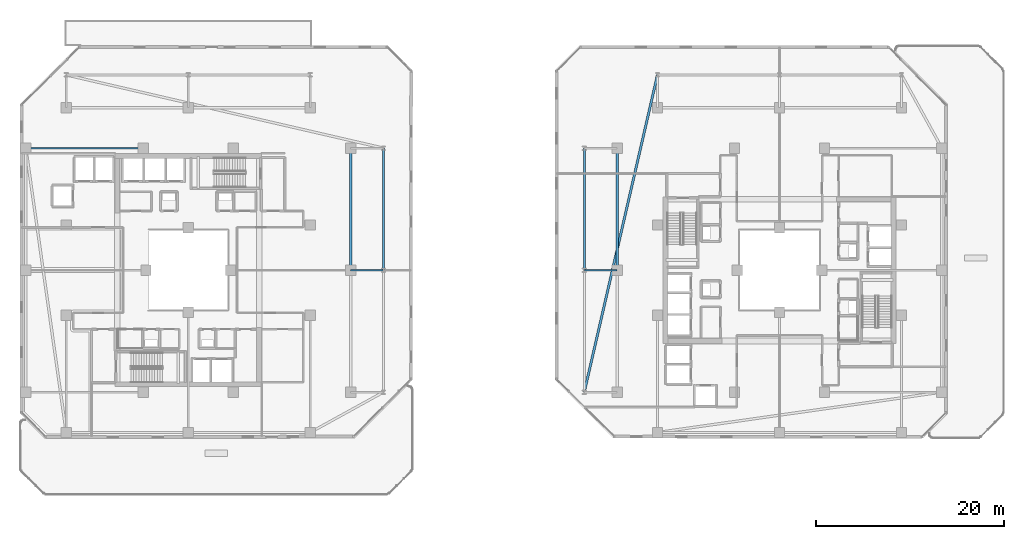
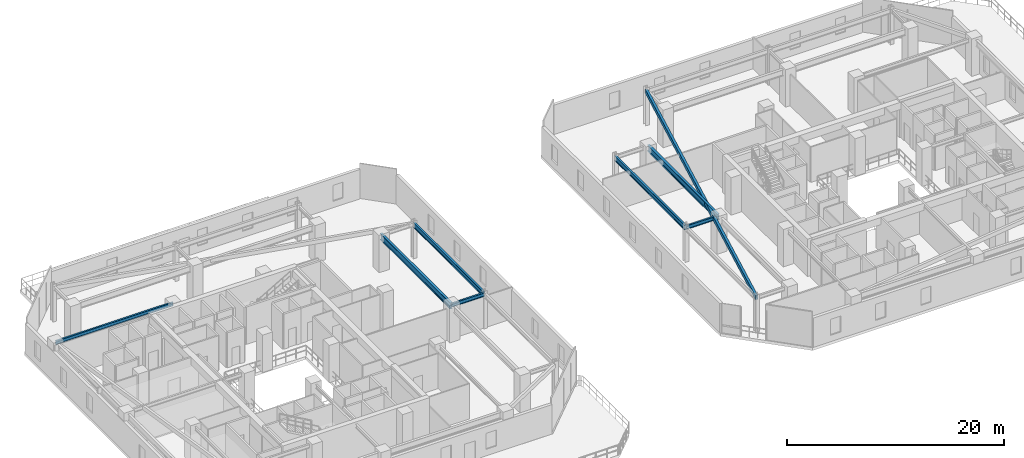
# One storey, part 7 of 33: 8 beams.
"""IFC4 building model written with IfcOpenShell, lengths in metres."""

from ifc_helpers import new_model, si_unit, direction, frame, origin, origin_2d, place, context, subcontext, project, spatial, hollow_rectangle, i_section, extrude, material, material_profile, profile_set, type_object, element, save


model = new_model("IFC4")

# Units and contexts
model_context = context("Model", 3, precision=1e-05, world=origin(), true_north=direction((0.0, 1.0)))
body_context = subcontext(model_context, "Body", "Model", "MODEL_VIEW")
ifc_project = project(units=[si_unit("LENGTHUNIT", "METRE"), si_unit("AREAUNIT", "SQUARE_METRE"), si_unit("VOLUMEUNIT", "CUBIC_METRE"), si_unit("PLANEANGLEUNIT", "RADIAN"), si_unit("MASSUNIT", "GRAM", prefix="KILO")], contexts=[model_context])

# Site, building, storey
site_placement = place(None, origin())
site = spatial("IfcSite", under=ifc_project, at=site_placement, CompositionType="ELEMENT")
building_placement = place(site_placement, origin())
building = spatial("IfcBuilding", under=site, at=building_placement, Name="Thornwick Lancets Civic Towers", CompositionType="ELEMENT")
storey_placement = place(building_placement, frame((0.0, 0.0, 174.300048828125)))
storey = spatial("IfcBuildingStorey", under=building, at=storey_placement, Name="L46", CompositionType="ELEMENT", Elevation=174.300048828125)

# Beams
ifc_material = material(Name="Steel S355JR", Category="steel")
ifc_material_profile_1 = material_profile(ifc_material, i_section(OverallWidth=0.210693359375, OverallDepth=0.53955078125, WebThickness=0.01171875, FlangeThickness=0.018798828125, FilletRadius=0.0126953125, at=origin_2d()), Name="UKB 533x210x109")
ifc_profile_set_1 = profile_set([ifc_material_profile_1], Name="Steel S355JR")
beam_type_1 = type_object("IfcBeamType", Name="BM_EDGE_533_109", PredefinedType="SPANDREL", material=ifc_profile_set_1)
for number, where, z_axis, x_axis, name in (
    (1, (46.300048828125, 27.080078125, 3.690185546875), (0.0, 1.0, 0.0), (-1.0, 0.0, 0.0), "BM-EDGE-L46-A-S1-2"),
    (2, (67.699951171875, 27.080078125, 3.690185546875), (0.0, 1.0, 0.0), (-1.0, 0.0, 0.0), "BM-EDGE-L46-B-S2-2"),
):
    element("IfcBeam", number, at=place(storey_placement, frame(where, z_axis=z_axis, x_axis=x_axis)), inside=storey, type_object=beam_type_1, Name=name, PredefinedType="SPANDREL", context=body_context, shape_type="SweptSolid", body=[
        extrude(i_section(OverallWidth=0.210693359375, OverallDepth=0.53955078125, WebThickness=0.01171875, FlangeThickness=0.018798828125, FilletRadius=0.0126953125, at=origin_2d()), origin(), (0.0, 0.0, 1.0), 12.919921875),
    ])
ifc_material_profile_2 = material_profile(ifc_material, i_section(OverallWidth=0.255859375, OverallDepth=0.69287109375, WebThickness=0.014404296875, FlangeThickness=0.023681640625, FilletRadius=0.01513671875, at=origin_2d()), Name="UKB 686x254x170")
ifc_profile_set_2 = profile_set([ifc_material_profile_2], Name="Steel S355JR")
beam_type_2 = type_object("IfcBeamType", Name="BM_GIRD_686_170", PredefinedType="BEAM", material=ifc_profile_set_2)
for number, where, z_axis, x_axis, name in (
    (3, (42.800048828125, 27.080078125, 3.613525390625), (0.0, 1.0, 0.0), (-1.0, 0.0, 0.0), "BM-SPINE-L46-A-4-5"),
    (4, (71.199951171875, 27.080078125, 3.613525390625), (0.0, 1.0, 0.0), (-1.0, 0.0, 0.0), "BM-SPINE-L46-B-7-8"),
):
    element("IfcBeam", number, at=place(storey_placement, frame(where, z_axis=z_axis, x_axis=x_axis)), inside=storey, type_object=beam_type_2, Name=name, PredefinedType="BEAM", context=body_context, shape_type="SweptSolid", body=[
        extrude(i_section(OverallWidth=0.255859375, OverallDepth=0.69287109375, WebThickness=0.014404296875, FlangeThickness=0.023681640625, FilletRadius=0.01513671875, at=origin_2d()), origin(), (0.0, 0.0, 1.0), 12.919921875),
    ])
ifc_material_profile_3 = material_profile(ifc_material, i_section(OverallWidth=0.179443359375, OverallDepth=0.412841796875, WebThickness=0.009521484375, FlangeThickness=0.01611328125, FilletRadius=0.01025390625, at=origin_2d()), Name="UKB 406x178x74")
ifc_profile_set_3 = profile_set([ifc_material_profile_3], Name="Steel S355JR")
beam_type_3 = type_object("IfcBeamType", Name="BM_JOIST_406_74", PredefinedType="JOIST", material=ifc_profile_set_3)
beam_1_placement = place(storey_placement, frame((42.800048828125, 27.0, 3.753662109375), z_axis=(1.0, 0.0, 0.0), x_axis=(0.0, 1.0, 0.0)))
element("IfcBeam", 5, at=beam_1_placement, inside=storey, type_object=beam_type_3, Name="BM-RAD-L46-A05", PredefinedType="JOIST", context=body_context, shape_type="SweptSolid", body=[
    extrude(i_section(OverallWidth=0.179443359375, OverallDepth=0.412841796875, WebThickness=0.009521484375, FlangeThickness=0.01611328125, FilletRadius=0.01025390625, at=origin_2d()), origin(), (0.0, 0.0, 1.0), 3.5),
])
beam_2_placement = place(storey_placement, frame((20.699951171875, 40.0, 3.753662109375), z_axis=(-1.0, 0.0, 0.0), x_axis=(0.0, -1.0, 0.0)))
element("IfcBeam", 6, at=beam_2_placement, inside=storey, type_object=beam_type_3, Name="BM-RADIN-L46-A12", PredefinedType="JOIST", context=body_context, shape_type="SweptSolid", body=[
    extrude(i_section(OverallWidth=0.179443359375, OverallDepth=0.412841796875, WebThickness=0.009521484375, FlangeThickness=0.01611328125, FilletRadius=0.01025390625, at=origin_2d()), origin(), (0.0, 0.0, 1.0), 12.5),
])
beam_3_placement = place(storey_placement, frame((71.199951171875, 27.0, 3.753662109375), z_axis=(-1.0, 0.0, 0.0), x_axis=(0.0, -1.0, 0.0)))
element("IfcBeam", 7, at=beam_3_placement, inside=storey, type_object=beam_type_3, Name="BM-RAD-L46-B08", PredefinedType="JOIST", context=body_context, shape_type="SweptSolid", body=[
    extrude(i_section(OverallWidth=0.179443359375, OverallDepth=0.412841796875, WebThickness=0.009521484375, FlangeThickness=0.01611328125, FilletRadius=0.01025390625, at=origin_2d()), origin(), (0.0, 0.0, 1.0), 3.5),
])
ifc_material_profile_4 = material_profile(ifc_material, hollow_rectangle(XDim=0.25, YDim=0.449951171875, WallThickness=0.01611328125, at=origin_2d()), Name="RHS 450x250x16")
ifc_profile_set_4 = profile_set([ifc_material_profile_4], Name="Steel S355JR")
beam_type_4 = type_object("IfcBeamType", Name="BM_RING_RHS450", PredefinedType="BEAM", material=ifc_profile_set_4)
beam_4_placement = place(storey_placement, frame((75.5, 47.800048828125, 3.73486328125), z_axis=(-0.224860534737, -0.974390958454, 0.0), x_axis=(0.974390958454, -0.224860534737, 0.0)))
element("IfcBeam", 8, at=beam_4_placement, inside=storey, type_object=beam_type_4, Name="BM-CHAMF-L46-B-C1", PredefinedType="BEAM", context=body_context, shape_type="SweptSolid", body=[
    extrude(hollow_rectangle(XDim=0.25, YDim=0.449951171875, WallThickness=0.01611328125, at=origin_2d()), origin(), (0.0, 0.0, 1.0), 34.6884765625),
])

save(model, "model.ifc")
